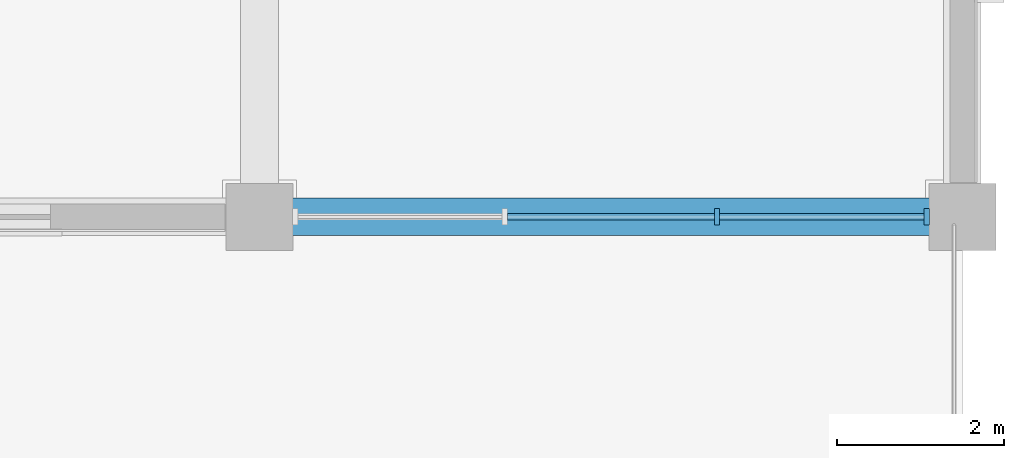
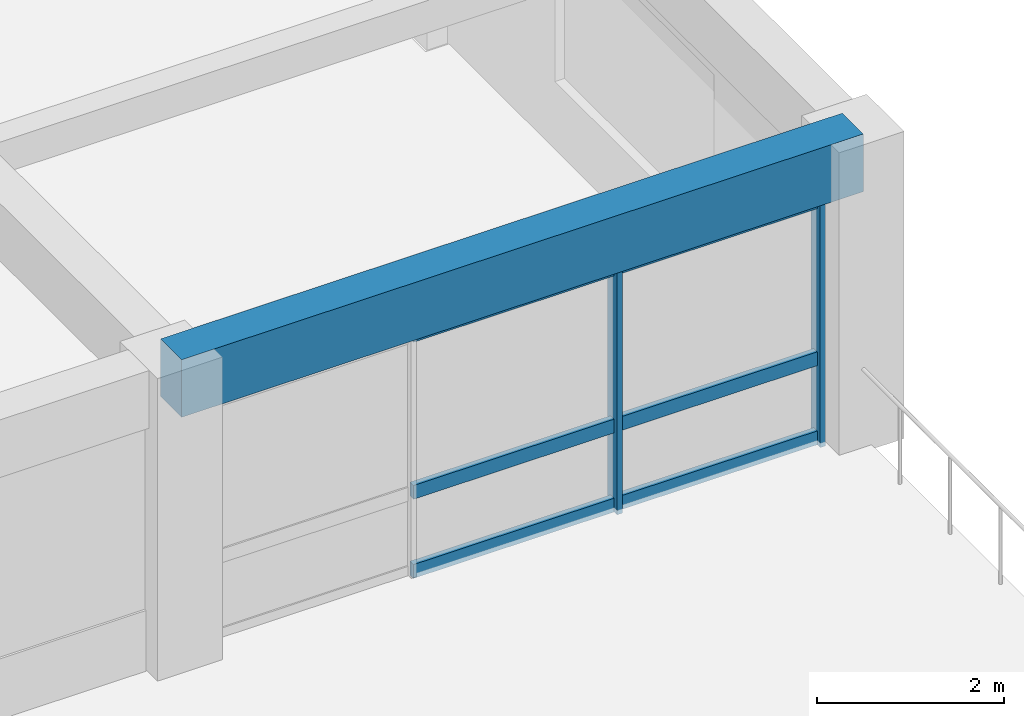
# One storey, part 27 of 49: 8 members, 1 beam, 1 element without a shape of its own.
"""IFC4 building model written with IfcOpenShell, lengths in metres."""

from ifc_helpers import new_model, si_unit, direction, frame, origin, origin_2d, place, context, subcontext, project, spatial, rectangle, extrude, material, material_profile, profile_set, type_object, element, aggregate, save


model = new_model("IFC4")

# Units and contexts
model_context = context("Model", 3, precision=1e-05, world=origin(), true_north=direction((0.0, 1.0)))
body_context = subcontext(model_context, "Body", "Model", "MODEL_VIEW")
ifc_project = project(units=[si_unit("LENGTHUNIT", "METRE"), si_unit("AREAUNIT", "SQUARE_METRE"), si_unit("VOLUMEUNIT", "CUBIC_METRE"), si_unit("PLANEANGLEUNIT", "RADIAN"), si_unit("MASSUNIT", "GRAM", prefix="KILO")], contexts=[model_context])

# Site, building, storey
site_placement = place(None, origin())
site = spatial("IfcSite", under=ifc_project, at=site_placement, CompositionType="ELEMENT")
building_placement = place(site_placement, origin())
building = spatial("IfcBuilding", under=site, at=building_placement, Name="Kemercrest Conservatory and Botanical Centre", CompositionType="ELEMENT")
storey_placement = place(building_placement, frame((0.0, 0.0, 13.199951171875)))
storey = spatial("IfcBuildingStorey", under=building, at=storey_placement, Name="L03", CompositionType="ELEMENT", Elevation=13.199951171875)

# Curtain wall, members
ifc_material_1 = material(Name="Thermally broken aluminium and triple low-e glazing", Category="aluminium")
curtain_wall_type = type_object("IfcCurtainWallType", Name="CW-04", PredefinedType="USERDEFINED", material=ifc_material_1)
curtain_wall_placement = place(storey_placement, origin())
curtain_wall = element("IfcCurtainWall", 1, at=curtain_wall_placement, inside=storey, type_object=curtain_wall_type, Name="Unitised curtain wall CW-04 (CW:L03:V4-063)", ObjectType="UNITISED CURTAIN WALL", PredefinedType="USERDEFINED")
ifc_material_2 = material(Name="Thermally broken anodized aluminium 6063-T6", Category="aluminium")
ifc_material_profile_1 = material_profile(ifc_material_2, rectangle(XDim=0.199951171875, YDim=0.06494140625, at=origin_2d()), Name="AL MULLION 65x200")
ifc_profile_set_1 = profile_set([ifc_material_profile_1], Name="Thermally broken anodized aluminium 6063-T6")
member_type_1 = type_object("IfcMemberType", Name="CW-M200", PredefinedType="MULLION", material=ifc_profile_set_1)
member_1_placement = place(storey_placement, frame((173.068359375, 78.39990234375, 0.0), z_axis=(0.0, 0.0, 1.0), x_axis=(0.0, 1.0, 0.0)))
member_1 = element("IfcMember", 2, at=member_1_placement, type_object=member_type_1, Name="CW-04 mullion 3", PredefinedType="MULLION", context=body_context, shape_type="SweptSolid", body=[
    extrude(rectangle(XDim=0.199951171875, YDim=0.06494140625, at=origin_2d()), origin(), (0.0, 0.0, 1.0), 3.255126953125),
])
member_2_placement = place(storey_placement, frame((175.572509765625, 78.39990234375, 0.0), z_axis=(0.0, 0.0, 1.0), x_axis=(0.0, 1.0, 0.0)))
member_2 = element("IfcMember", 3, at=member_2_placement, type_object=member_type_1, Name="CW-04 mullion 4", PredefinedType="MULLION", context=body_context, shape_type="SweptSolid", body=[
    extrude(rectangle(XDim=0.199951171875, YDim=0.06494140625, at=origin_2d()), origin(), (0.0, 0.0, 1.0), 3.255126953125),
])
ifc_material_profile_2 = material_profile(ifc_material_2, rectangle(XDim=0.074951171875, YDim=0.179931640625, at=origin_2d()), Name="AL TRANSOM 75x180")
ifc_profile_set_2 = profile_set([ifc_material_profile_2], Name="Thermally broken anodized aluminium 6063-T6")
member_type_2 = type_object("IfcMemberType", Name="CW-T180", PredefinedType="USERDEFINED", material=ifc_profile_set_2)
member_3_placement = place(storey_placement, frame((170.564208984375, 78.39990234375, 0.090087890625), z_axis=(1.0, 0.0, 0.0), x_axis=(0.0, 1.0, 0.0)))
member_3 = element("IfcMember", 4, at=member_3_placement, type_object=member_type_2, Name="CW-04 transom 2.1", ObjectType="TRANSOM", PredefinedType="USERDEFINED", context=body_context, shape_type="SweptSolid", body=[
    extrude(rectangle(XDim=0.074951171875, YDim=0.179931640625, at=origin_2d()), origin(), (0.0, 0.0, 1.0), 2.4716796875),
])
member_4_placement = place(storey_placement, frame((170.564208984375, 78.39990234375, 1.1201171875), z_axis=(1.0, 0.0, 0.0), x_axis=(0.0, 1.0, 0.0)))
member_4 = element("IfcMember", 5, at=member_4_placement, type_object=member_type_2, Name="CW-04 transom 2.2", ObjectType="TRANSOM", PredefinedType="USERDEFINED", context=body_context, shape_type="SweptSolid", body=[
    extrude(rectangle(XDim=0.074951171875, YDim=0.179931640625, at=origin_2d()), origin(), (0.0, 0.0, 1.0), 2.4716796875),
])
member_5_placement = place(storey_placement, frame((170.564208984375, 78.39990234375, 3.1650390625), z_axis=(1.0, 0.0, 0.0), x_axis=(0.0, 1.0, 0.0)))
member_5 = element("IfcMember", 6, at=member_5_placement, type_object=member_type_2, Name="CW-04 transom 2.3", ObjectType="TRANSOM", PredefinedType="USERDEFINED", context=body_context, shape_type="SweptSolid", body=[
    extrude(rectangle(XDim=0.074951171875, YDim=0.179931640625, at=origin_2d()), origin(), (0.0, 0.0, 1.0), 2.4716796875),
])
member_6_placement = place(storey_placement, frame((173.100830078125, 78.39990234375, 0.090087890625), z_axis=(1.0, 0.0, 0.0), x_axis=(0.0, 1.0, 0.0)))
member_6 = element("IfcMember", 7, at=member_6_placement, type_object=member_type_2, Name="CW-04 transom 3.1", ObjectType="TRANSOM", PredefinedType="USERDEFINED", context=body_context, shape_type="SweptSolid", body=[
    extrude(rectangle(XDim=0.074951171875, YDim=0.179931640625, at=origin_2d()), origin(), (0.0, 0.0, 1.0), 2.439208984375),
])
member_7_placement = place(storey_placement, frame((173.100830078125, 78.39990234375, 1.1201171875), z_axis=(1.0, 0.0, 0.0), x_axis=(0.0, 1.0, 0.0)))
member_7 = element("IfcMember", 8, at=member_7_placement, type_object=member_type_2, Name="CW-04 transom 3.2", ObjectType="TRANSOM", PredefinedType="USERDEFINED", context=body_context, shape_type="SweptSolid", body=[
    extrude(rectangle(XDim=0.074951171875, YDim=0.179931640625, at=origin_2d()), origin(), (0.0, 0.0, 1.0), 2.439208984375),
])
member_8_placement = place(storey_placement, frame((173.100830078125, 78.39990234375, 3.1650390625), z_axis=(1.0, 0.0, 0.0), x_axis=(0.0, 1.0, 0.0)))
member_8 = element("IfcMember", 9, at=member_8_placement, type_object=member_type_2, Name="CW-04 transom 3.3", ObjectType="TRANSOM", PredefinedType="USERDEFINED", context=body_context, shape_type="SweptSolid", body=[
    extrude(rectangle(XDim=0.074951171875, YDim=0.179931640625, at=origin_2d()), origin(), (0.0, 0.0, 1.0), 2.439208984375),
])
aggregate(curtain_wall, [member_1, member_2, member_3, member_4, member_5, member_6, member_7, member_8])

# Beam
ifc_material_3 = material(Name="Concrete C40/50", Category="concrete")
ifc_material_profile_3 = material_profile(ifc_material_3, rectangle(XDim=0.449951171875, YDim=0.75, at=origin_2d()), Name="RC 450x750")
ifc_profile_set_3 = profile_set([ifc_material_profile_3], Name="Concrete C40/50")
beam_type = type_object("IfcBeamType", Name="SP-RC75", PredefinedType="SPANDREL", material=ifc_profile_set_3)
beam_placement = place(storey_placement, frame((167.60009765625, 78.39990234375, 3.625), z_axis=(1.0, 0.0, 0.0), x_axis=(0.0, 1.0, 0.0)))
element("IfcBeam", 10, at=beam_placement, inside=storey, type_object=beam_type, Name="V4-L04 beam SP-RC75 J/20-21", PredefinedType="SPANDREL", context=body_context, shape_type="SweptSolid", body=[
    extrude(rectangle(XDim=0.449951171875, YDim=0.75, at=origin_2d()), origin(), (0.0, 0.0, 1.0), 8.39990234375),
])

save(model, "model.ifc")
